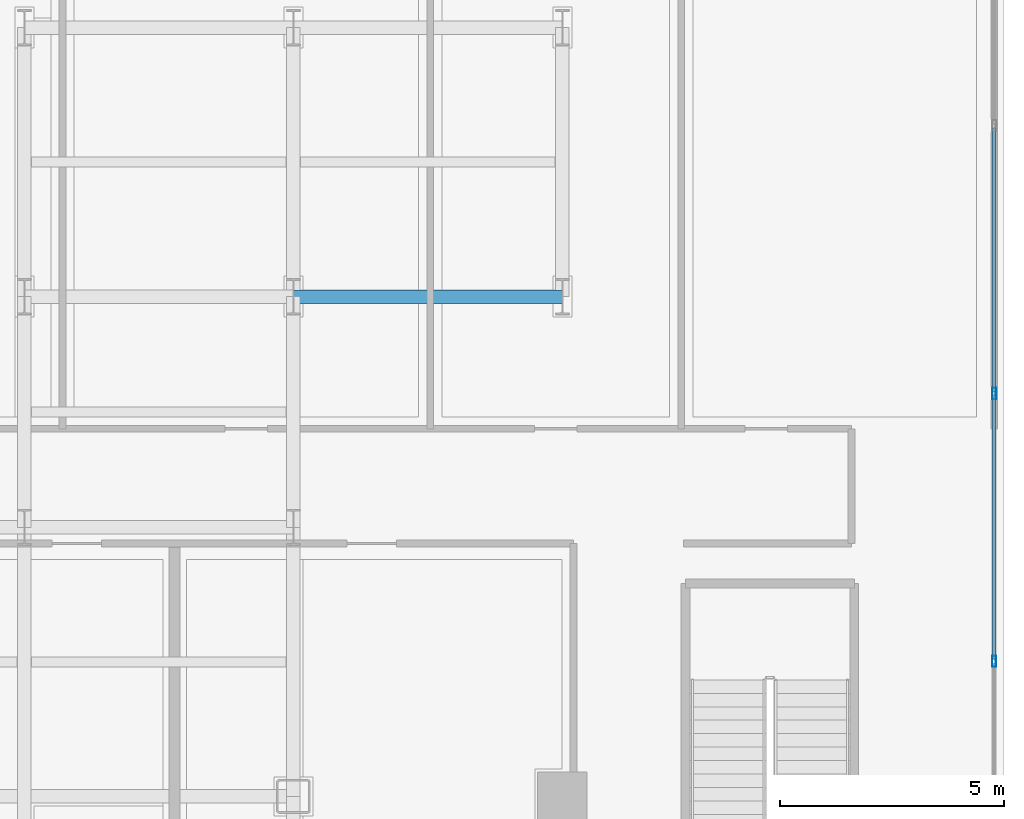
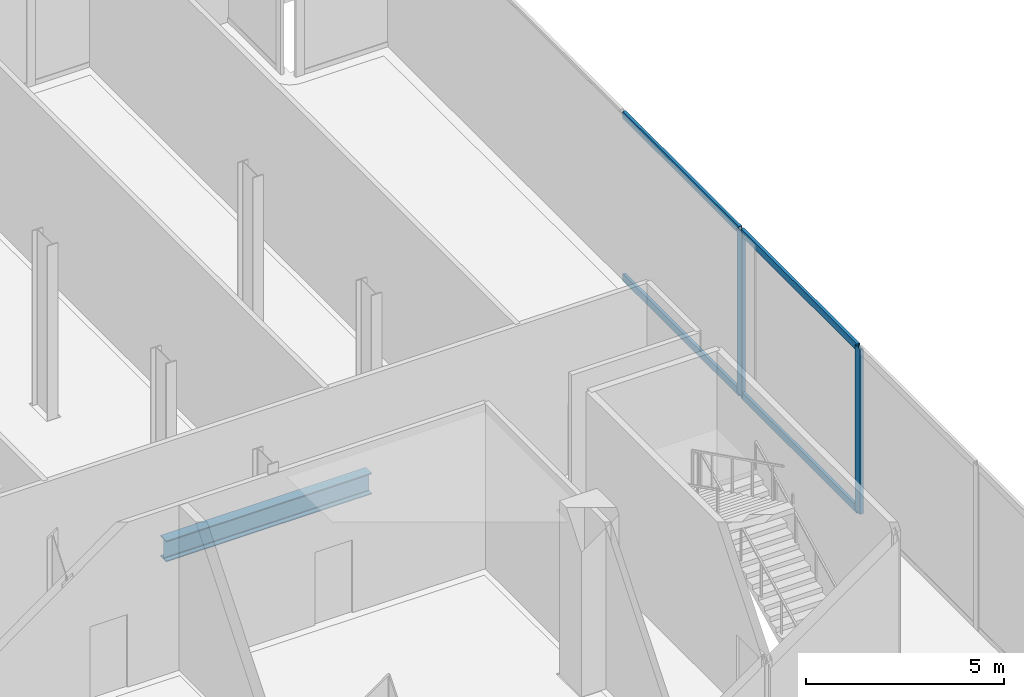
# One storey, part 12 of 28: 6 members, 1 beam, 1 element without a shape of its own.
"""IFC4 building model written with IfcOpenShell, lengths in metres."""

from ifc_helpers import new_model, si_unit, direction, frame, origin, origin_2d, place, context, subcontext, project, spatial, hollow_rectangle, i_section, extrude, material, layer, layer_set, material_profile, profile_set, type_object, element, aggregate, save


model = new_model("IFC4")

# Units and contexts
model_context = context("Model", 3, precision=1e-05, world=origin(), true_north=direction((0.0, 1.0)))
body_context = subcontext(model_context, "Body", "Model", "MODEL_VIEW")
ifc_project = project(units=[si_unit("LENGTHUNIT", "METRE"), si_unit("AREAUNIT", "SQUARE_METRE"), si_unit("VOLUMEUNIT", "CUBIC_METRE"), si_unit("PLANEANGLEUNIT", "RADIAN"), si_unit("MASSUNIT", "GRAM", prefix="KILO"), si_unit("THERMODYNAMICTEMPERATUREUNIT", "KELVIN"), si_unit("POWERUNIT", "WATT")], contexts=[model_context])

# Site, building, storey
site_placement = place(None, origin())
site = spatial("IfcSite", under=ifc_project, at=site_placement, CompositionType="ELEMENT")
building_placement = place(site_placement, origin())
building = spatial("IfcBuilding", under=site, at=building_placement, Name="Svarakhadi Broadcast Tower", CompositionType="ELEMENT")
storey_placement = place(building_placement, frame((0.0, 0.0, 11.10009765625)))
storey = spatial("IfcBuildingStorey", under=building, at=storey_placement, Name="L02", CompositionType="ELEMENT", Elevation=11.10009765625)

# Curtain wall, members
ifc_material_1 = material(Name="Anodised Bronze Aluminium AA 6063-T6", Category="aluminium")
ifc_layer = layer(ifc_material_1, 0.25)
ifc_layer_set = layer_set([ifc_layer], Name="Anodised Bronze Aluminium AA 6063-T6")
curtain_wall_type = type_object("IfcCurtainWallType", Name="CW_Sys_01", PredefinedType="NOTDEFINED", material=ifc_layer_set)
curtain_wall_placement = place(storey_placement, origin())
curtain_wall = element("IfcCurtainWall", 1, at=curtain_wall_placement, inside=storey, type_object=curtain_wall_type, Name="L02 Unitised Facade Curtain Wall 08", PredefinedType="NOTDEFINED")
ifc_material_profile_1 = material_profile(ifc_material_1, hollow_rectangle(XDim=0.094970703125, YDim=0.25, WallThickness=0.006103515625, at=origin_2d()), Name="ALU MULLION 250x95x6")
ifc_profile_set_1 = profile_set([ifc_material_profile_1], Name="Anodised Bronze Aluminium AA 6063-T6")
member_type_1 = type_object("IfcMemberType", Name="CW_Sys_01_Mul", PredefinedType="MULLION", material=ifc_profile_set_1)
member_1_placement = place(storey_placement, frame((62.780029296875, 26.987060546875, 0.0), z_axis=(0.0, 0.0, 1.0), x_axis=(1.0, 0.0, 0.0)))
member_1 = element("IfcMember", 2, at=member_1_placement, type_object=member_type_1, Name="CW-01 mullion 4", PredefinedType="MULLION", context=body_context, shape_type="SweptSolid", body=[
    extrude(hollow_rectangle(XDim=0.094970703125, YDim=0.25, WallThickness=0.006103515625, at=origin_2d()), origin(), (0.0, 0.0, 1.0), 5.099853515625),
])
member_2_placement = place(storey_placement, frame((62.780029296875, 21.012939453125, 0.0), z_axis=(0.0, 0.0, 1.0), x_axis=(1.0, 0.0, 0.0)))
member_2 = element("IfcMember", 3, at=member_2_placement, type_object=member_type_1, Name="CW-01 mullion 5", PredefinedType="MULLION", context=body_context, shape_type="SweptSolid", body=[
    extrude(hollow_rectangle(XDim=0.094970703125, YDim=0.25, WallThickness=0.006103515625, at=origin_2d()), origin(), (0.0, 0.0, 1.0), 5.099853515625),
])
ifc_material_profile_2 = material_profile(ifc_material_1, hollow_rectangle(XDim=0.0849609375, YDim=0.219970703125, WallThickness=0.0048828125, at=origin_2d()), Name="ALU TRANSOM 220x85x5")
ifc_profile_set_2 = profile_set([ifc_material_profile_2], Name="Anodised Bronze Aluminium AA 6063-T6")
member_type_2 = type_object("IfcMemberType", Name="CW_Sys_01_Trn", PredefinedType="USERDEFINED", material=ifc_profile_set_2)
member_3_placement = place(storey_placement, frame((62.780029296875, 32.913818359375, 0.04248046875), z_axis=(0.0, -1.0, 0.0), x_axis=(1.0, 0.0, 0.0)))
member_3 = element("IfcMember", 4, at=member_3_placement, type_object=member_type_2, Name="CW-01 transom 3.1", ObjectType="TRANSOM", PredefinedType="USERDEFINED", context=body_context, shape_type="SweptSolid", body=[
    extrude(hollow_rectangle(XDim=0.0849609375, YDim=0.219970703125, WallThickness=0.0048828125, at=origin_2d()), origin(), (0.0, 0.0, 1.0), 5.879150390625),
])
member_4_placement = place(storey_placement, frame((62.780029296875, 32.913818359375, 5.057373046875), z_axis=(0.0, -1.0, 0.0), x_axis=(1.0, 0.0, 0.0)))
member_4 = element("IfcMember", 5, at=member_4_placement, type_object=member_type_2, Name="CW-01 transom 3.2", ObjectType="TRANSOM", PredefinedType="USERDEFINED", context=body_context, shape_type="SweptSolid", body=[
    extrude(hollow_rectangle(XDim=0.0849609375, YDim=0.219970703125, WallThickness=0.0048828125, at=origin_2d()), origin(), (0.0, 0.0, 1.0), 5.879150390625),
])
member_5_placement = place(storey_placement, frame((62.780029296875, 26.939697265625, 0.04248046875), z_axis=(0.0, -1.0, 0.0), x_axis=(1.0, 0.0, 0.0)))
member_5 = element("IfcMember", 6, at=member_5_placement, type_object=member_type_2, Name="CW-01 transom 4.1", ObjectType="TRANSOM", PredefinedType="USERDEFINED", context=body_context, shape_type="SweptSolid", body=[
    extrude(hollow_rectangle(XDim=0.0849609375, YDim=0.219970703125, WallThickness=0.0048828125, at=origin_2d()), origin(), (0.0, 0.0, 1.0), 5.87939453125),
])
member_6_placement = place(storey_placement, frame((62.780029296875, 26.939697265625, 5.057373046875), z_axis=(0.0, -1.0, 0.0), x_axis=(1.0, 0.0, 0.0)))
member_6 = element("IfcMember", 7, at=member_6_placement, type_object=member_type_2, Name="CW-01 transom 4.2", ObjectType="TRANSOM", PredefinedType="USERDEFINED", context=body_context, shape_type="SweptSolid", body=[
    extrude(hollow_rectangle(XDim=0.0849609375, YDim=0.219970703125, WallThickness=0.0048828125, at=origin_2d()), origin(), (0.0, 0.0, 1.0), 5.87939453125),
])
aggregate(curtain_wall, [member_1, member_2, member_3, member_4, member_5, member_6])

# Beam
ifc_material_2 = material(Name="Steel S355J2 (IS 2062 E350C)", Category="steel")
ifc_material_profile_3 = material_profile(ifc_material_2, i_section(OverallWidth=0.300048828125, OverallDepth=0.64990234375, WebThickness=0.01611328125, FlangeThickness=0.031005859375, FilletRadius=0.027099609375, at=origin_2d()), Name="WPB 650x300x225")
ifc_profile_set_3 = profile_set([ifc_material_profile_3], Name="Steel S355J2 (IS 2062 E350C)")
beam_type = type_object("IfcBeamType", Name="Girder_WPB650", PredefinedType="USERDEFINED", material=ifc_profile_set_3)
beam_placement = place(storey_placement, frame((47.14990234375, 29.14990234375, -0.60009765625), z_axis=(1.0, 0.0, 0.0), x_axis=(0.0, 1.0, 0.0)))
element("IfcBeam", 8, at=beam_placement, inside=storey, type_object=beam_type, Name="L02 Primary E-W Girder G036", ObjectType="GIRDER", PredefinedType="USERDEFINED", context=body_context, shape_type="SweptSolid", body=[
    extrude(i_section(OverallWidth=0.300048828125, OverallDepth=0.64990234375, WebThickness=0.01611328125, FlangeThickness=0.031005859375, FilletRadius=0.027099609375, at=origin_2d()), origin(), (0.0, 0.0, 1.0), 6.0),
])

save(model, "model.ifc")
